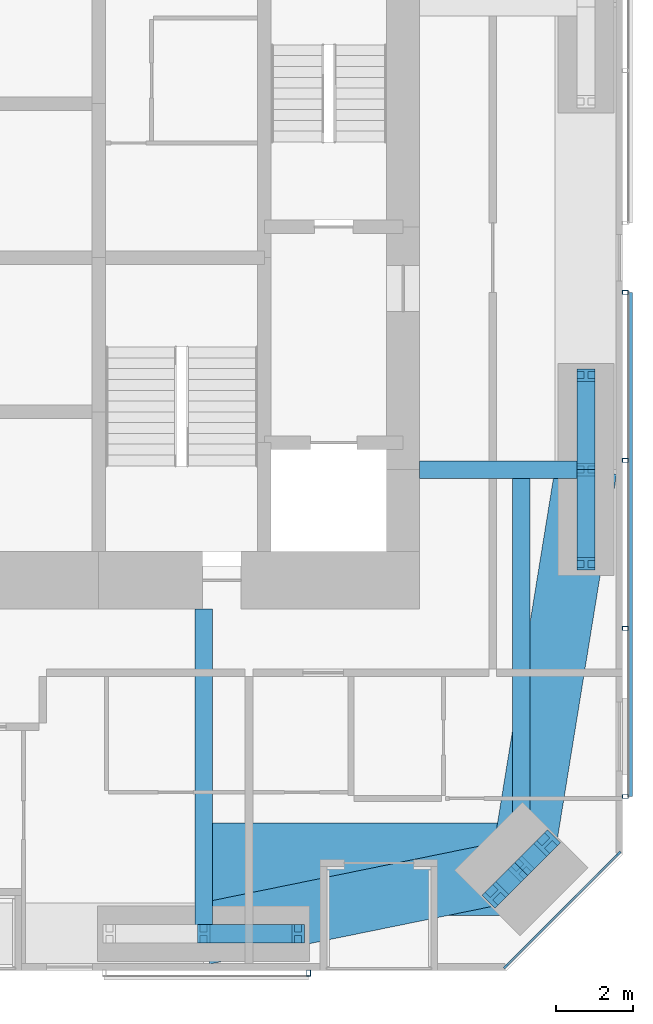
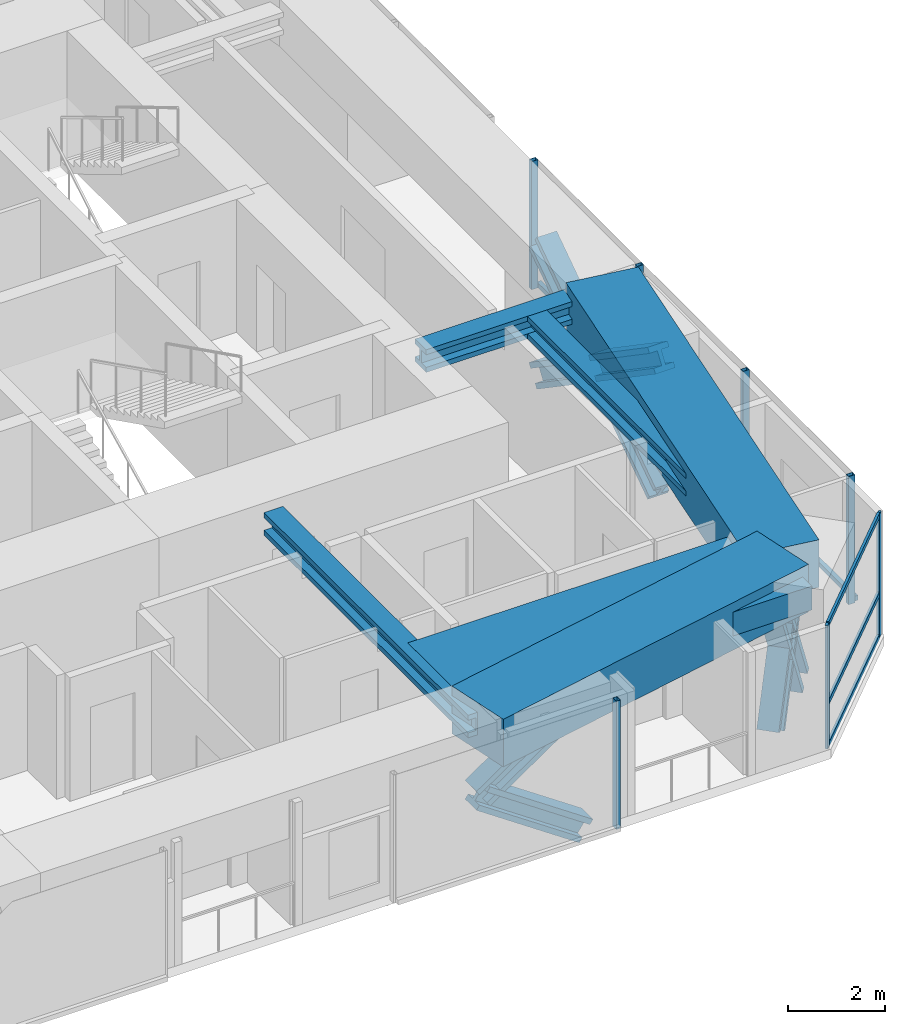
# One storey, part 8 of 23: 21 members, 6 beams, 3 elements without a shape of their own.
"""IFC4 building model written with IfcOpenShell, lengths in metres."""

import ifcopenshell
import ifcopenshell.guid

model = None  # the IFC model being written
_history = None  # IfcOwnerHistory: only IFC2X3 demands one
_inside = {}  # id of a spatial element -> (the spatial element, [elements in it])
_under = {}  # id of a project, library or spatial element -> (it, [spatial elements below it])
_declared = {}  # id of a project -> (the project, [libraries it declares])
_typed = {}  # id of a type object -> (the type object, [elements of that type])
_made_of = {}  # id of a material, layer set ... -> (it, [elements and type objects made of it])


def new_model(schema):
    """Start an empty IFC model of exactly this schema.

    Asked for "IFC4X3", IfcOpenShell would pick the latest addendum, in which some entities
    have other attributes; the version numbers below select the first issue.
    IFC2X3 requires an IfcOwnerHistory on every rooted entity: one is made here for all.
    """
    global model, _history
    if schema == "IFC4X3":
        model = ifcopenshell.file(schema_version=(4, 3, 0, 0))
    else:
        model = ifcopenshell.file(schema=schema)
    _inside.clear()
    _under.clear()
    _declared.clear()
    _typed.clear()
    _made_of.clear()
    _history = None
    if model.schema == "IFC2X3":
        org = make("IfcOrganization", Name="unknown")
        user = make(
            "IfcPersonAndOrganization",
            ThePerson=make("IfcPerson", FamilyName="unknown"),
            TheOrganization=org,
        )
        app = make(
            "IfcApplication",
            ApplicationDeveloper=org,
            Version="unknown",
            ApplicationFullName="unknown",
            ApplicationIdentifier="unknown",
        )
        _history = make(
            "IfcOwnerHistory",
            OwningUser=user,
            OwningApplication=app,
            ChangeAction="ADDED",
            CreationDate=0,
        )
    return model


def make(cls, **values):
    """One entity of the class cls with the attributes given. An attribute that is None is left unset."""
    return model.create_entity(
        cls, **{name: value for name, value in values.items() if value is not None}
    )


def rooted(cls, **values):
    """An entity with a GlobalId (a new one), such as an element, a storey or a relation."""
    return make(cls, GlobalId=ifcopenshell.guid.new(), OwnerHistory=_history, **values)


def si_unit(unit_type, name, prefix=None):
    """IfcSIUnit, for example si_unit("LENGTHUNIT", "METRE", prefix="MILLI")."""
    return make("IfcSIUnit", UnitType=unit_type, Prefix=prefix, Name=name)


def assignment(units):
    """IfcUnitAssignment: the units of a project."""
    return None if units is None else make("IfcUnitAssignment", Units=units)


def point(xyz):
    """IfcCartesianPoint."""
    return None if xyz is None else make("IfcCartesianPoint", Coordinates=xyz)


def direction(xyz):
    """IfcDirection."""
    return None if xyz is None else make("IfcDirection", DirectionRatios=xyz)


def frame(location, z_axis=None, x_axis=None):
    """IfcAxis2Placement3D, a coordinate frame: its origin and axes. An axis left out is left unset."""
    return make(
        "IfcAxis2Placement3D",
        Location=point(location),
        Axis=direction(z_axis),
        RefDirection=direction(x_axis),
    )


def frame_2d(location, x_axis=None):
    """IfcAxis2Placement2D, a coordinate frame in the plane: its origin and x axis."""
    return make(
        "IfcAxis2Placement2D", Location=point(location), RefDirection=direction(x_axis)
    )


def origin():
    """The frame at (0, 0, 0) with its axes left unset."""
    return frame((0.0, 0.0, 0.0))


def origin_2d():
    """The frame at (0, 0) in the plane with its x axis left unset."""
    return frame_2d((0.0, 0.0))


def place(relative_to, where):
    """IfcLocalPlacement: puts the frame where relative to a parent placement (None: the world)."""
    return make(
        "IfcLocalPlacement", PlacementRelTo=relative_to, RelativePlacement=where
    )


def context(
    kind, dimensions, precision=None, world=None, true_north=None, identifier=None
):
    """IfcGeometricRepresentationContext, for example the 3D "Model" context."""
    return make(
        "IfcGeometricRepresentationContext",
        ContextIdentifier=identifier,
        ContextType=kind,
        CoordinateSpaceDimension=dimensions,
        Precision=precision,
        WorldCoordinateSystem=world,
        TrueNorth=true_north,
    )


def subcontext(parent, identifier, kind, view, scale=None):
    """IfcGeometricRepresentationSubContext, for example "Body" below "Model"."""
    return make(
        "IfcGeometricRepresentationSubContext",
        ContextIdentifier=identifier,
        ContextType=kind,
        ParentContext=parent,
        TargetScale=scale,
        TargetView=view,
    )


def project(units=None, contexts=None):
    """IfcProject with its units and contexts."""
    return rooted(
        "IfcProject",
        Name="project",
        RepresentationContexts=contexts,
        UnitsInContext=assignment(units),
    )


def spatial(cls, under=None, at=None, **own):
    """A site, building, storey or space (cls), placed at a placement, below another one or the project."""
    s = rooted(cls, ObjectPlacement=at, **own)
    if under is not None:
        _under.setdefault(under.id(), (under, []))[1].append(s)
    return s


def profile(cls, at=None, kind="AREA", **sizes):
    """A parametric profile (cls). Its sizes go by their IFC names, for example OverallWidth=200.0."""
    return make(cls, ProfileType=kind, Position=at, **sizes)


def rectangle(**sizes):
    """IfcRectangleProfileDef."""
    return profile("IfcRectangleProfileDef", **sizes)


def hollow_rectangle(**sizes):
    """IfcRectangleHollowProfileDef."""
    return profile("IfcRectangleHollowProfileDef", **sizes)


def i_section(**sizes):
    """IfcIShapeProfileDef."""
    return profile("IfcIShapeProfileDef", **sizes)


def extrude(swept, where, along, depth):
    """IfcExtrudedAreaSolid: the profile swept, set in the frame where, extruded along a direction by depth."""
    return make(
        "IfcExtrudedAreaSolid",
        SweptArea=swept,
        Position=where,
        ExtrudedDirection=direction(along),
        Depth=depth,
    )


def shape(context_of_items, identifier, shape_type, items):
    """IfcShapeRepresentation: the items that make up one representation, for example the "Body"."""
    return make(
        "IfcShapeRepresentation",
        ContextOfItems=context_of_items,
        RepresentationIdentifier=identifier,
        RepresentationType=shape_type,
        Items=items,
    )


def material(Name=None, Category=None):
    """IfcMaterial."""
    return make("IfcMaterial", Name=Name, Category=Category)


def material_profile(
    of_material, cross_section, Name=None, Category=None, Priority=None
):
    """IfcMaterialProfile: a cross section and its material."""
    return make(
        "IfcMaterialProfile",
        Name=Name,
        Material=of_material,
        Profile=cross_section,
        Priority=Priority,
        Category=Category,
    )


def profile_set(profiles, Name=None, composite=None):
    """IfcMaterialProfileSet."""
    return make(
        "IfcMaterialProfileSet",
        Name=Name,
        MaterialProfiles=profiles,
        CompositeProfile=composite,
    )


def made_of(thing, what):
    """Note that an element or type object is made of a material, layer set ...; save() writes the relation."""
    if what is not None:
        _made_of.setdefault(what.id(), (what, []))[1].append(thing)
    return thing


def type_object(cls, material=None, **own):
    """A type object (cls), such as IfcWallType, which elements share."""
    return made_of(rooted(cls, **own), material)


def element(
    cls,
    number,
    at=None,
    inside=None,
    cuts=None,
    type_object=None,
    material=None,
    context=None,
    identifier="Body",
    shape_type=None,
    held_by="IfcProductDefinitionShape",
    body=None,
    shapes=None,
    **own,
):
    """One element of the class cls, such as IfcWall. Its Tag is "e" and its number.

    at: its placement. inside: the storey or other place that contains it. cuts: it is an
    opening in that element (IfcRelVoidsElement). A single representation is given by context,
    identifier, shape_type and body (its items); several are given by shapes. held_by: the class
    of the entity that holds the representations. save() writes the other relations.
    """
    e = rooted(cls, Tag="e%d" % number, ObjectPlacement=at, **own)
    if body is not None:
        shapes = [shape(context, identifier, shape_type, body)]
    if shapes is not None:
        e.Representation = make(held_by, Representations=shapes)
    if inside is not None:
        _inside.setdefault(inside.id(), (inside, []))[1].append(e)
    if cuts is not None:
        rooted(
            "IfcRelVoidsElement", RelatingBuildingElement=cuts, RelatedOpeningElement=e
        )
    if type_object is not None:
        _typed.setdefault(type_object.id(), (type_object, []))[1].append(e)
    return made_of(e, material)


def aggregate(whole, parts):
    """IfcRelAggregates: a whole, such as a stair, and the parts it consists of."""
    return rooted("IfcRelAggregates", RelatingObject=whole, RelatedObjects=parts)


def save(model, path):
    """Write the relations noted so far, then the file.

    IfcRelAggregates (storeys below a building ...), IfcRelContainedInSpatialStructure (elements
    in a storey), IfcRelDefinesByType, IfcRelAssociatesMaterial and IfcRelDeclares: one each for
    every whole, place, type object, material and project.
    """
    for whole, parts in _under.values():
        aggregate(whole, parts)
    for where, things in _inside.values():
        rooted(
            "IfcRelContainedInSpatialStructure",
            RelatedElements=things,
            RelatingStructure=where,
        )
    for kind, things in _typed.values():
        rooted("IfcRelDefinesByType", RelatedObjects=things, RelatingType=kind)
    for what, things in _made_of.values():
        rooted("IfcRelAssociatesMaterial", RelatedObjects=things, RelatingMaterial=what)
    for by, libraries in _declared.values():
        rooted("IfcRelDeclares", RelatingContext=by, RelatedDefinitions=libraries)
    model.write(path)


model = new_model("IFC4")

# Units and contexts
model_context = context("Model", 3, precision=1e-05, world=origin(), true_north=direction((0.0, 1.0)))
body_context = subcontext(model_context, "Body", "Model", "MODEL_VIEW")
ifc_project = project(units=[si_unit("LENGTHUNIT", "METRE"), si_unit("AREAUNIT", "SQUARE_METRE"), si_unit("VOLUMEUNIT", "CUBIC_METRE"), si_unit("PLANEANGLEUNIT", "RADIAN"), si_unit("MASSUNIT", "GRAM", prefix="KILO")], contexts=[model_context])

# Site, building, storey
site_placement = place(None, origin())
site = spatial("IfcSite", under=ifc_project, at=site_placement, CompositionType="ELEMENT")
building_placement = place(site_placement, origin())
building = spatial("IfcBuilding", under=site, at=building_placement, Name="Jalousie Tower", CompositionType="ELEMENT")
storey_placement = place(building_placement, frame((0.0, 0.0, 111.550048828125)))
storey = spatial("IfcBuildingStorey", under=building, at=storey_placement, Name="L30", CompositionType="ELEMENT", Elevation=111.550048828125)

# Curtain wall, members
ifc_material_1 = material(Name="Aluminium curtain wall", Category="aluminium")
curtain_wall_type_1 = type_object("IfcCurtainWallType", Name="CORNER WINDOW WALL", PredefinedType="USERDEFINED", material=ifc_material_1)
curtain_wall_1_placement = place(storey_placement, origin())
curtain_wall_1 = element("IfcCurtainWall", 1, at=curtain_wall_1_placement, inside=storey, type_object=curtain_wall_type_1, Name="Corner Window Wall L30 2", ObjectType="CORNER WINDOW WALL", PredefinedType="USERDEFINED")
ifc_material_2 = material(Name="Aluminium mullion", Category="aluminium")
ifc_material_profile_1 = material_profile(ifc_material_2, rectangle(XDim=0.06005859375, YDim=0.14990234375, at=origin_2d()), Name="MULLION 60x150")
ifc_profile_set_1 = profile_set([ifc_material_profile_1], Name="Aluminium mullion")
member_type_1 = type_object("IfcMemberType", Name="CORNER WINDOW WALL MULLION", PredefinedType="MULLION", material=ifc_profile_set_1)
member_1_placement = place(storey_placement, frame((46.469970703125, 0.108642578125, 0.0), z_axis=(0.0, 0.0, 1.0), x_axis=(-0.707106781187, 0.707106781187, 0.0)))
member_1 = element("IfcMember", 2, at=member_1_placement, type_object=member_type_1, Name="CW-C mullion 1", PredefinedType="MULLION", context=body_context, shape_type="SweptSolid", body=[
    extrude(rectangle(XDim=0.06005859375, YDim=0.14990234375, at=origin_2d()), origin(), (0.0, 0.0, 1.0), 3.10986328125),
])
member_2_placement = place(storey_placement, frame((49.391357421875, 3.030029296875, 0.0), z_axis=(0.0, 0.0, 1.0), x_axis=(-0.707106781187, 0.707106781187, 0.0)))
member_2 = element("IfcMember", 3, at=member_2_placement, type_object=member_type_1, Name="CW-C mullion 2", PredefinedType="MULLION", context=body_context, shape_type="SweptSolid", body=[
    extrude(rectangle(XDim=0.06005859375, YDim=0.14990234375, at=origin_2d()), origin(), (0.0, 0.0, 1.0), 3.10986328125),
])
ifc_material_3 = material(Name="Aluminium transom", Category="aluminium")
ifc_material_profile_2 = material_profile(ifc_material_3, rectangle(XDim=0.06005859375, YDim=0.1201171875, at=origin_2d()), Name="TRANSOM 60x120")
ifc_profile_set_2 = profile_set([ifc_material_profile_2], Name="Aluminium transom")
member_type_2 = type_object("IfcMemberType", Name="CORNER WINDOW WALL TRANSOM", PredefinedType="USERDEFINED", material=ifc_profile_set_2)
member_3_placement = place(storey_placement, frame((46.4912109375, 0.1298828125, 0.030029296875), z_axis=(0.707106781187, 0.707106781187, 0.0), x_axis=(-0.707106781187, 0.707106781187, 0.0)))
member_3 = element("IfcMember", 4, at=member_3_placement, type_object=member_type_2, Name="CW-C transom 1.1", ObjectType="TRANSOM", PredefinedType="USERDEFINED", context=body_context, shape_type="SweptSolid", body=[
    extrude(rectangle(XDim=0.06005859375, YDim=0.1201171875, at=origin_2d()), origin(), (0.0, 0.0, 1.0), 4.0712890625),
])
member_4_placement = place(storey_placement, frame((46.4912109375, 0.1298828125, 1.099853515625), z_axis=(0.707106781187, 0.707106781187, 0.0), x_axis=(-0.707106781187, 0.707106781187, 0.0)))
member_4 = element("IfcMember", 5, at=member_4_placement, type_object=member_type_2, Name="CW-C transom 1.2", ObjectType="TRANSOM", PredefinedType="USERDEFINED", context=body_context, shape_type="SweptSolid", body=[
    extrude(rectangle(XDim=0.06005859375, YDim=0.1201171875, at=origin_2d()), origin(), (0.0, 0.0, 1.0), 4.0712890625),
])
member_5_placement = place(storey_placement, frame((46.4912109375, 0.1298828125, 3.079833984375), z_axis=(0.707106781187, 0.707106781187, 0.0), x_axis=(-0.707106781187, 0.707106781187, 0.0)))
member_5 = element("IfcMember", 6, at=member_5_placement, type_object=member_type_2, Name="CW-C transom 1.3", ObjectType="TRANSOM", PredefinedType="USERDEFINED", context=body_context, shape_type="SweptSolid", body=[
    extrude(rectangle(XDim=0.06005859375, YDim=0.1201171875, at=origin_2d()), origin(), (0.0, 0.0, 1.0), 4.0712890625),
])
aggregate(curtain_wall_1, [member_1, member_2, member_3, member_4, member_5])

# Beams
ifc_material_4 = material(Name="Steel ASTM A992 Grade 50", Category="steel")
ifc_material_profile_3 = material_profile(ifc_material_4, i_section(OverallWidth=0.45458984375, OverallDepth=0.569091796875, WebThickness=0.077880859375, FlangeThickness=0.124755859375, at=origin_2d()), Name="W14X730")
ifc_profile_set_3 = profile_set([ifc_material_profile_3], Name="Steel ASTM A992 Grade 50")
beam_type_1 = type_object("IfcBeamType", Name="LEAN COLLECTOR W14X730", PredefinedType="BEAM", material=ifc_profile_set_3)
beam_1_placement = place(storey_placement, frame((38.625, 0.949951171875, 2.825439453125), z_axis=(0.0, 1.0, 0.0), x_axis=(-1.0, 0.0, 0.0)))
element("IfcBeam", 7, at=beam_1_placement, inside=storey, type_object=beam_type_1, Name="Lean collector under L31", PredefinedType="BEAM", context=body_context, shape_type="SweptSolid", body=[
    extrude(i_section(OverallWidth=0.45458984375, OverallDepth=0.569091796875, WebThickness=0.077880859375, FlangeThickness=0.124755859375, at=origin_2d()), origin(), (0.0, 0.0, 1.0), 8.425048828125),
])
beam_2_placement = place(storey_placement, frame((48.550048828125, 13.0, 2.825439453125), z_axis=(-1.0, 0.0, 0.0), x_axis=(0.0, -1.0, 0.0)))
element("IfcBeam", 8, at=beam_2_placement, inside=storey, type_object=beam_type_1, Name="Lean collector under L31", PredefinedType="BEAM", context=body_context, shape_type="SweptSolid", body=[
    extrude(i_section(OverallWidth=0.45458984375, OverallDepth=0.569091796875, WebThickness=0.077880859375, FlangeThickness=0.124755859375, at=origin_2d()), origin(), (0.0, 0.0, 1.0), 4.324951171875),
])
beam_3_placement = place(storey_placement, frame((46.86865234375, 2.63134765625, 2.825439453125), z_axis=(0.0, 1.0, 0.0), x_axis=(-1.0, 0.0, 0.0)))
element("IfcBeam", 9, at=beam_3_placement, inside=storey, type_object=beam_type_1, Name="Lean collector under L31", PredefinedType="BEAM", context=body_context, shape_type="SweptSolid", body=[
    extrude(i_section(OverallWidth=0.45458984375, OverallDepth=0.569091796875, WebThickness=0.077880859375, FlangeThickness=0.124755859375, at=origin_2d()), origin(), (0.0, 0.0, 1.0), 10.36865234375),
])

# Members
ifc_material_5 = material(Name="Steel ASTM A992 Grade 50", Category="steel")
ifc_material_profile_4 = material_profile(ifc_material_5, i_section(OverallWidth=0.472412109375, OverallDepth=0.5791015625, WebThickness=0.094970703125, FlangeThickness=0.1298828125, at=origin_2d()), Name="W14X808")
ifc_profile_set_4 = profile_set([ifc_material_profile_4], Name="Steel ASTM A992 Grade 50")
member_type_3 = type_object("IfcMemberType", Name="PERIMETER BRACE W14X808", PredefinedType="BRACE", material=ifc_profile_set_4)
for number, where, z_axis, x_axis, name in (
    (10, (38.625, 0.949951171875, 1.074951171875), (0.825500916831, 0.0, 0.564400776321), (0.0, 1.0, 0.0), "Perimeter brace 04 L30 part 2"),
    (11, (41.074951171875, 0.949951171875, -0.60009765625), (-0.825500916831, 0.0, 0.564400776321), (0.0, -1.0, 0.0), "Perimeter brace 04 L30 part 3"),
):
    element("IfcMember", number, at=place(storey_placement, frame(where, z_axis=z_axis, x_axis=x_axis)), inside=storey, type_object=member_type_3, Name=name, PredefinedType="BRACE", context=body_context, shape_type="SweptSolid", body=[
        extrude(i_section(OverallWidth=0.472412109375, OverallDepth=0.5791015625, WebThickness=0.094970703125, FlangeThickness=0.1298828125, at=origin_2d()), origin(), (0.0, 0.0, 1.0), 2.9677734375),
    ])
for number, where, z_axis, x_axis, name in (
    (12, (46.197021484375, 1.959716796875, -0.60009765625), (0.348789058631, 0.348789058631, 0.869880672943), (-0.707106781187, 0.707106781187, 0.0), "Perimeter brace 05 L30 part 1"),
    (13, (46.86865234375, 2.63134765625, 1.074951171875), (0.348789058631, 0.348789058631, 0.869880672943), (-0.707106781187, 0.707106781187, 0.0), "Perimeter brace 05 L30 part 2"),
    (14, (47.540283203125, 3.302978515625, -0.60009765625), (-0.348789058631, -0.348789058631, 0.869880672943), (0.707106781187, -0.707106781187, 0.0), "Perimeter brace 05 L30 part 3"),
    (15, (46.86865234375, 2.63134765625, 1.074951171875), (-0.348789058631, -0.348789058631, 0.869880672943), (0.707106781187, -0.707106781187, 0.0), "Perimeter brace 05 L30 part 4"),
):
    element("IfcMember", number, at=place(storey_placement, frame(where, z_axis=z_axis, x_axis=x_axis)), inside=storey, type_object=member_type_3, Name=name, PredefinedType="BRACE", context=body_context, shape_type="SweptSolid", body=[
        extrude(i_section(OverallWidth=0.472412109375, OverallDepth=0.5791015625, WebThickness=0.094970703125, FlangeThickness=0.1298828125, at=origin_2d()), origin(), (0.0, 0.0, 1.0), 1.925537109375),
    ])
for number, where, z_axis, x_axis, name in (
    (16, (48.550048828125, 10.550048828125, -0.60009765625), (0.0, 0.825500916831, 0.564400776321), (-1.0, 0.0, 0.0), "Perimeter brace 06 L30 part 1"),
    (17, (48.550048828125, 13.0, 1.074951171875), (0.0, 0.825500916831, 0.564400776321), (-1.0, 0.0, 0.0), "Perimeter brace 06 L30 part 2"),
    (18, (48.550048828125, 15.449951171875, -0.60009765625), (0.0, -0.825500916831, 0.564400776321), (1.0, 0.0, 0.0), "Perimeter brace 06 L30 part 3"),
    (19, (48.550048828125, 13.0, 1.074951171875), (0.0, -0.825500916831, 0.564400776321), (1.0, 0.0, 0.0), "Perimeter brace 06 L30 part 4"),
):
    element("IfcMember", number, at=place(storey_placement, frame(where, z_axis=z_axis, x_axis=x_axis)), inside=storey, type_object=member_type_3, Name=name, PredefinedType="BRACE", context=body_context, shape_type="SweptSolid", body=[
        extrude(i_section(OverallWidth=0.472412109375, OverallDepth=0.5791015625, WebThickness=0.094970703125, FlangeThickness=0.1298828125, at=origin_2d()), origin(), (0.0, 0.0, 1.0), 2.9677734375),
    ])

# Beams
ifc_material_6 = material(Name="Concrete f'c 40 MPa", Category="concrete")
ifc_material_profile_5 = material_profile(ifc_material_6, rectangle(XDim=1.60009765625, YDim=1.199951171875, at=origin_2d()), Name="RC 1600x1200")
ifc_profile_set_5 = profile_set([ifc_material_profile_5], Name="Concrete f'c 40 MPa")
beam_type_2 = type_object("IfcBeamType", Name="RC BEAM 1600x1200", PredefinedType="BEAM", material=ifc_profile_set_5)
beam_4_placement = place(storey_placement, frame((38.625, 0.949951171875, 2.75), z_axis=(0.97982690954, 0.199848010602, 0.0), x_axis=(-0.199848010602, 0.97982690954, 0.0)))
element("IfcBeam", 20, at=beam_4_placement, inside=storey, type_object=beam_type_2, Name="Edge band beam 04-05 under L31", PredefinedType="BEAM", context=body_context, shape_type="SweptSolid", body=[
    extrude(rectangle(XDim=1.60009765625, YDim=1.199951171875, at=origin_2d()), origin(), (0.0, 0.0, 1.0), 8.413330078125),
])
beam_5_placement = place(storey_placement, frame((46.86865234375, 2.63134765625, 2.75), z_axis=(0.160070546476, 0.987105577003, 0.0), x_axis=(-0.987105577003, 0.160070546476, 0.0)))
element("IfcBeam", 21, at=beam_5_placement, inside=storey, type_object=beam_type_2, Name="Edge band beam 05-06 under L31", PredefinedType="BEAM", context=body_context, shape_type="SweptSolid", body=[
    extrude(rectangle(XDim=1.60009765625, YDim=1.199951171875, at=origin_2d()), origin(), (0.0, 0.0, 1.0), 10.504150390625),
])
ifc_material_7 = material(Name="Concrete f'c 40 MPa", Category="concrete")
ifc_material_profile_6 = material_profile(ifc_material_7, rectangle(XDim=2.39990234375, YDim=0.60009765625, at=origin_2d()), Name="RC 2400x600")
ifc_profile_set_6 = profile_set([ifc_material_profile_6], Name="Concrete f'c 40 MPa")
beam_type_3 = type_object("IfcBeamType", Name="RC BEAM 2400x600", PredefinedType="BEAM", material=ifc_profile_set_6)
beam_6_placement = place(storey_placement, frame((46.86865234375, 2.63134765625, 2.81005859375), z_axis=(-1.0, 0.0, 0.0), x_axis=(0.0, -1.0, 0.0)))
element("IfcBeam", 22, at=beam_6_placement, inside=storey, type_object=beam_type_3, Name="Floor band beam under L31", PredefinedType="BEAM", context=body_context, shape_type="SweptSolid", body=[
    extrude(rectangle(XDim=2.39990234375, YDim=0.60009765625, at=origin_2d()), origin(), (0.0, 0.0, 1.0), 8.24365234375),
])

# Curtain wall, member
ifc_material_8 = material(Name="Perforated aluminium sheet", Category="aluminium")
curtain_wall_type_2 = type_object("IfcCurtainWallType", Name="SOLAR SCREEN SS-1", PredefinedType="USERDEFINED", material=ifc_material_8)
curtain_wall_2_placement = place(storey_placement, origin())
curtain_wall_2 = element("IfcCurtainWall", 23, at=curtain_wall_2_placement, inside=storey, type_object=curtain_wall_type_2, Name="Solar screen L30", ObjectType="SOLAR SCREEN SS-1", PredefinedType="USERDEFINED")
ifc_material_9 = material(Name="Steel ASTM A500 Grade C", Category="steel")
ifc_material_profile_7 = material_profile(ifc_material_9, hollow_rectangle(XDim=0.1015625, YDim=0.15234375, WallThickness=0.00634765625, at=origin_2d()), Name="HSS6X4X1/4")
ifc_profile_set_7 = profile_set([ifc_material_profile_7], Name="Steel ASTM A500 Grade C")
member_type_4 = type_object("IfcMemberType", Name="SOLAR SCREEN SS-1 MULLION", PredefinedType="MULLION", material=ifc_profile_set_7)
member_6_placement = place(storey_placement, frame((41.35009765625, -0.0712890625, -0.1201171875), z_axis=(0.0, 0.0, 1.0), x_axis=(1.0, 0.0, 0.0)))
member_6 = element("IfcMember", 24, at=member_6_placement, type_object=member_type_4, Name="SS1 post 2", PredefinedType="MULLION", context=body_context, shape_type="SweptSolid", body=[
    extrude(hollow_rectangle(XDim=0.1015625, YDim=0.15234375, WallThickness=0.00634765625, at=origin_2d()), origin(), (0.0, 0.0, 1.0), 3.22998046875),
])
aggregate(curtain_wall_2, [member_6])

# Curtain wall, members
curtain_wall_3_placement = place(storey_placement, origin())
curtain_wall_3 = element("IfcCurtainWall", 25, at=curtain_wall_3_placement, inside=storey, type_object=curtain_wall_type_2, Name="Solar screen L30", ObjectType="SOLAR SCREEN SS-1", PredefinedType="USERDEFINED")
member_7_placement = place(storey_placement, frame((49.5712890625, 4.513916015625, -0.1201171875), z_axis=(0.0, 0.0, 1.0), x_axis=(0.0, 1.0, 0.0)))
member_7 = element("IfcMember", 26, at=member_7_placement, type_object=member_type_4, Name="SS1 post 1", PredefinedType="MULLION", context=body_context, shape_type="SweptSolid", body=[
    extrude(hollow_rectangle(XDim=0.1015625, YDim=0.15234375, WallThickness=0.00634765625, at=origin_2d()), origin(), (0.0, 0.0, 1.0), 3.22998046875),
])
member_8_placement = place(storey_placement, frame((49.5712890625, 8.8759765625, -0.1201171875), z_axis=(0.0, 0.0, 1.0), x_axis=(0.0, 1.0, 0.0)))
member_8 = element("IfcMember", 27, at=member_8_placement, type_object=member_type_4, Name="SS1 post 2", PredefinedType="MULLION", context=body_context, shape_type="SweptSolid", body=[
    extrude(hollow_rectangle(XDim=0.1015625, YDim=0.15234375, WallThickness=0.00634765625, at=origin_2d()), origin(), (0.0, 0.0, 1.0), 3.22998046875),
])
member_9_placement = place(storey_placement, frame((49.5712890625, 13.23779296875, -0.1201171875), z_axis=(0.0, 0.0, 1.0), x_axis=(0.0, 1.0, 0.0)))
member_9 = element("IfcMember", 28, at=member_9_placement, type_object=member_type_4, Name="SS1 post 3", PredefinedType="MULLION", context=body_context, shape_type="SweptSolid", body=[
    extrude(hollow_rectangle(XDim=0.1015625, YDim=0.15234375, WallThickness=0.00634765625, at=origin_2d()), origin(), (0.0, 0.0, 1.0), 3.22998046875),
])
member_10_placement = place(storey_placement, frame((49.5712890625, 17.60009765625, -0.1201171875), z_axis=(0.0, 0.0, 1.0), x_axis=(0.0, 1.0, 0.0)))
member_10 = element("IfcMember", 29, at=member_10_placement, type_object=member_type_4, Name="SS1 post 4", PredefinedType="MULLION", context=body_context, shape_type="SweptSolid", body=[
    extrude(hollow_rectangle(XDim=0.1015625, YDim=0.15234375, WallThickness=0.00634765625, at=origin_2d()), origin(), (0.0, 0.0, 1.0), 3.22998046875),
])
ifc_material_10 = material(Name="Extruded aluminium screen rail", Category="aluminium")
ifc_material_profile_8 = material_profile(ifc_material_10, rectangle(XDim=0.1015625, YDim=0.1201171875, at=origin_2d()), Name="RAIL 102x120")
ifc_profile_set_8 = profile_set([ifc_material_profile_8], Name="Extruded aluminium screen rail")
member_type_5 = type_object("IfcMemberType", Name="SOLAR SCREEN SS-1 TRANSOM", PredefinedType="USERDEFINED", material=ifc_profile_set_8)
member_11_placement = place(storey_placement, frame((49.6982421875, 4.513916015625, -0.06005859375), z_axis=(0.0, 1.0, 0.0), x_axis=(-1.0, 0.0, 0.0)))
member_11 = element("IfcMember", 30, at=member_11_placement, type_object=member_type_5, Name="SS1 rail", ObjectType="TRANSOM", PredefinedType="USERDEFINED", context=body_context, shape_type="SweptSolid", body=[
    extrude(rectangle(XDim=0.1015625, YDim=0.1201171875, at=origin_2d()), origin(), (0.0, 0.0, 1.0), 13.086181640625),
])
aggregate(curtain_wall_3, [member_7, member_8, member_9, member_10, member_11])

save(model, "model.ifc")
